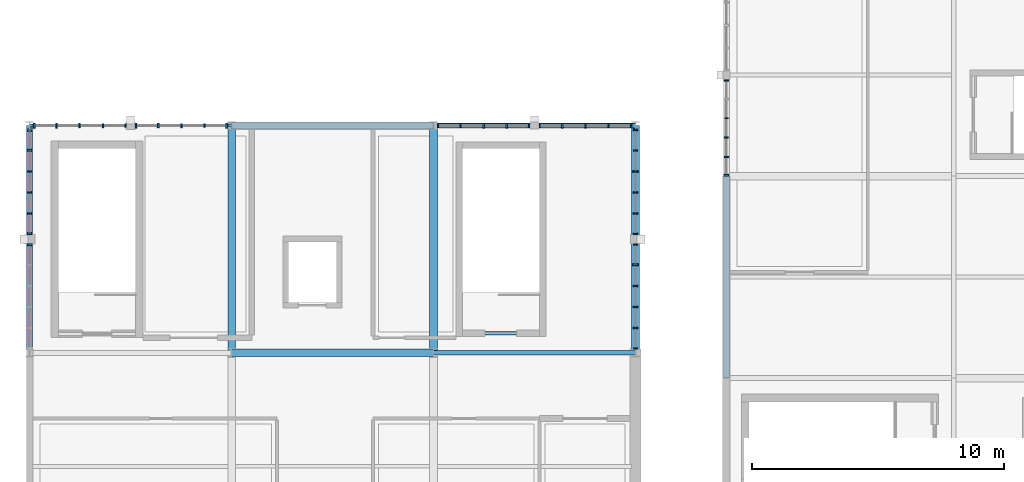
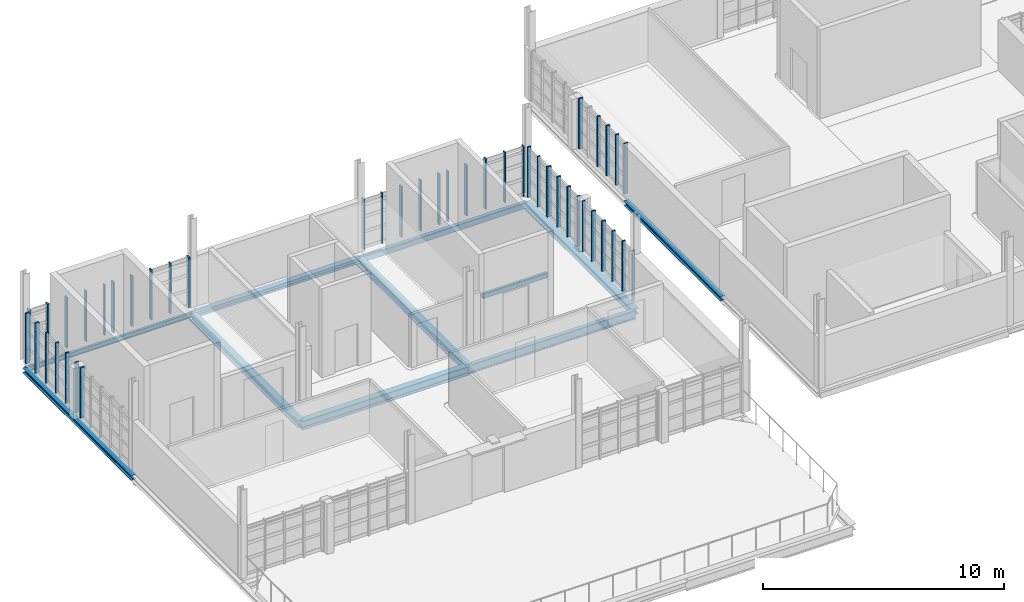
# One storey, part 8 of 44: 44 members, 11 beams, 9 elements without a shape of their own.
"""IFC4 building model written with IfcOpenShell, lengths in metres."""

import ifcopenshell
import ifcopenshell.guid

model = None  # the IFC model being written
_history = None  # IfcOwnerHistory: only IFC2X3 demands one
_inside = {}  # id of a spatial element -> (the spatial element, [elements in it])
_under = {}  # id of a project, library or spatial element -> (it, [spatial elements below it])
_declared = {}  # id of a project -> (the project, [libraries it declares])
_typed = {}  # id of a type object -> (the type object, [elements of that type])
_made_of = {}  # id of a material, layer set ... -> (it, [elements and type objects made of it])


def new_model(schema):
    """Start an empty IFC model of exactly this schema.

    Asked for "IFC4X3", IfcOpenShell would pick the latest addendum, in which some entities
    have other attributes; the version numbers below select the first issue.
    IFC2X3 requires an IfcOwnerHistory on every rooted entity: one is made here for all.
    """
    global model, _history
    if schema == "IFC4X3":
        model = ifcopenshell.file(schema_version=(4, 3, 0, 0))
    else:
        model = ifcopenshell.file(schema=schema)
    _inside.clear()
    _under.clear()
    _declared.clear()
    _typed.clear()
    _made_of.clear()
    _history = None
    if model.schema == "IFC2X3":
        org = make("IfcOrganization", Name="unknown")
        user = make(
            "IfcPersonAndOrganization",
            ThePerson=make("IfcPerson", FamilyName="unknown"),
            TheOrganization=org,
        )
        app = make(
            "IfcApplication",
            ApplicationDeveloper=org,
            Version="unknown",
            ApplicationFullName="unknown",
            ApplicationIdentifier="unknown",
        )
        _history = make(
            "IfcOwnerHistory",
            OwningUser=user,
            OwningApplication=app,
            ChangeAction="ADDED",
            CreationDate=0,
        )
    return model


def make(cls, **values):
    """One entity of the class cls with the attributes given. An attribute that is None is left unset."""
    return model.create_entity(
        cls, **{name: value for name, value in values.items() if value is not None}
    )


def rooted(cls, **values):
    """An entity with a GlobalId (a new one), such as an element, a storey or a relation."""
    return make(cls, GlobalId=ifcopenshell.guid.new(), OwnerHistory=_history, **values)


def si_unit(unit_type, name, prefix=None):
    """IfcSIUnit, for example si_unit("LENGTHUNIT", "METRE", prefix="MILLI")."""
    return make("IfcSIUnit", UnitType=unit_type, Prefix=prefix, Name=name)


def assignment(units):
    """IfcUnitAssignment: the units of a project."""
    return None if units is None else make("IfcUnitAssignment", Units=units)


def point(xyz):
    """IfcCartesianPoint."""
    return None if xyz is None else make("IfcCartesianPoint", Coordinates=xyz)


def direction(xyz):
    """IfcDirection."""
    return None if xyz is None else make("IfcDirection", DirectionRatios=xyz)


def frame(location, z_axis=None, x_axis=None):
    """IfcAxis2Placement3D, a coordinate frame: its origin and axes. An axis left out is left unset."""
    return make(
        "IfcAxis2Placement3D",
        Location=point(location),
        Axis=direction(z_axis),
        RefDirection=direction(x_axis),
    )


def frame_2d(location, x_axis=None):
    """IfcAxis2Placement2D, a coordinate frame in the plane: its origin and x axis."""
    return make(
        "IfcAxis2Placement2D", Location=point(location), RefDirection=direction(x_axis)
    )


def origin():
    """The frame at (0, 0, 0) with its axes left unset."""
    return frame((0.0, 0.0, 0.0))


def origin_2d():
    """The frame at (0, 0) in the plane with its x axis left unset."""
    return frame_2d((0.0, 0.0))


def place(relative_to, where):
    """IfcLocalPlacement: puts the frame where relative to a parent placement (None: the world)."""
    return make(
        "IfcLocalPlacement", PlacementRelTo=relative_to, RelativePlacement=where
    )


def context(
    kind, dimensions, precision=None, world=None, true_north=None, identifier=None
):
    """IfcGeometricRepresentationContext, for example the 3D "Model" context."""
    return make(
        "IfcGeometricRepresentationContext",
        ContextIdentifier=identifier,
        ContextType=kind,
        CoordinateSpaceDimension=dimensions,
        Precision=precision,
        WorldCoordinateSystem=world,
        TrueNorth=true_north,
    )


def subcontext(parent, identifier, kind, view, scale=None):
    """IfcGeometricRepresentationSubContext, for example "Body" below "Model"."""
    return make(
        "IfcGeometricRepresentationSubContext",
        ContextIdentifier=identifier,
        ContextType=kind,
        ParentContext=parent,
        TargetScale=scale,
        TargetView=view,
    )


def project(units=None, contexts=None):
    """IfcProject with its units and contexts."""
    return rooted(
        "IfcProject",
        Name="project",
        RepresentationContexts=contexts,
        UnitsInContext=assignment(units),
    )


def spatial(cls, under=None, at=None, **own):
    """A site, building, storey or space (cls), placed at a placement, below another one or the project."""
    s = rooted(cls, ObjectPlacement=at, **own)
    if under is not None:
        _under.setdefault(under.id(), (under, []))[1].append(s)
    return s


def profile(cls, at=None, kind="AREA", **sizes):
    """A parametric profile (cls). Its sizes go by their IFC names, for example OverallWidth=200.0."""
    return make(cls, ProfileType=kind, Position=at, **sizes)


def rectangle(**sizes):
    """IfcRectangleProfileDef."""
    return profile("IfcRectangleProfileDef", **sizes)


def hollow_rectangle(**sizes):
    """IfcRectangleHollowProfileDef."""
    return profile("IfcRectangleHollowProfileDef", **sizes)


def i_section(**sizes):
    """IfcIShapeProfileDef."""
    return profile("IfcIShapeProfileDef", **sizes)


def extrude(swept, where, along, depth):
    """IfcExtrudedAreaSolid: the profile swept, set in the frame where, extruded along a direction by depth."""
    return make(
        "IfcExtrudedAreaSolid",
        SweptArea=swept,
        Position=where,
        ExtrudedDirection=direction(along),
        Depth=depth,
    )


def shape(context_of_items, identifier, shape_type, items):
    """IfcShapeRepresentation: the items that make up one representation, for example the "Body"."""
    return make(
        "IfcShapeRepresentation",
        ContextOfItems=context_of_items,
        RepresentationIdentifier=identifier,
        RepresentationType=shape_type,
        Items=items,
    )


def material(Name=None, Category=None):
    """IfcMaterial."""
    return make("IfcMaterial", Name=Name, Category=Category)


def material_profile(
    of_material, cross_section, Name=None, Category=None, Priority=None
):
    """IfcMaterialProfile: a cross section and its material."""
    return make(
        "IfcMaterialProfile",
        Name=Name,
        Material=of_material,
        Profile=cross_section,
        Priority=Priority,
        Category=Category,
    )


def profile_set(profiles, Name=None, composite=None):
    """IfcMaterialProfileSet."""
    return make(
        "IfcMaterialProfileSet",
        Name=Name,
        MaterialProfiles=profiles,
        CompositeProfile=composite,
    )


def made_of(thing, what):
    """Note that an element or type object is made of a material, layer set ...; save() writes the relation."""
    if what is not None:
        _made_of.setdefault(what.id(), (what, []))[1].append(thing)
    return thing


def type_object(cls, material=None, **own):
    """A type object (cls), such as IfcWallType, which elements share."""
    return made_of(rooted(cls, **own), material)


def element(
    cls,
    number,
    at=None,
    inside=None,
    cuts=None,
    type_object=None,
    material=None,
    context=None,
    identifier="Body",
    shape_type=None,
    held_by="IfcProductDefinitionShape",
    body=None,
    shapes=None,
    **own,
):
    """One element of the class cls, such as IfcWall. Its Tag is "e" and its number.

    at: its placement. inside: the storey or other place that contains it. cuts: it is an
    opening in that element (IfcRelVoidsElement). A single representation is given by context,
    identifier, shape_type and body (its items); several are given by shapes. held_by: the class
    of the entity that holds the representations. save() writes the other relations.
    """
    e = rooted(cls, Tag="e%d" % number, ObjectPlacement=at, **own)
    if body is not None:
        shapes = [shape(context, identifier, shape_type, body)]
    if shapes is not None:
        e.Representation = make(held_by, Representations=shapes)
    if inside is not None:
        _inside.setdefault(inside.id(), (inside, []))[1].append(e)
    if cuts is not None:
        rooted(
            "IfcRelVoidsElement", RelatingBuildingElement=cuts, RelatedOpeningElement=e
        )
    if type_object is not None:
        _typed.setdefault(type_object.id(), (type_object, []))[1].append(e)
    return made_of(e, material)


def aggregate(whole, parts):
    """IfcRelAggregates: a whole, such as a stair, and the parts it consists of."""
    return rooted("IfcRelAggregates", RelatingObject=whole, RelatedObjects=parts)


def save(model, path):
    """Write the relations noted so far, then the file.

    IfcRelAggregates (storeys below a building ...), IfcRelContainedInSpatialStructure (elements
    in a storey), IfcRelDefinesByType, IfcRelAssociatesMaterial and IfcRelDeclares: one each for
    every whole, place, type object, material and project.
    """
    for whole, parts in _under.values():
        aggregate(whole, parts)
    for where, things in _inside.values():
        rooted(
            "IfcRelContainedInSpatialStructure",
            RelatedElements=things,
            RelatingStructure=where,
        )
    for kind, things in _typed.values():
        rooted("IfcRelDefinesByType", RelatedObjects=things, RelatingType=kind)
    for what, things in _made_of.values():
        rooted("IfcRelAssociatesMaterial", RelatedObjects=things, RelatingMaterial=what)
    for by, libraries in _declared.values():
        rooted("IfcRelDeclares", RelatingContext=by, RelatedDefinitions=libraries)
    model.write(path)


model = new_model("IFC4")

# Units and contexts
model_context = context("Model", 3, precision=1e-05, world=origin(), true_north=direction((0.0, 1.0)))
body_context = subcontext(model_context, "Body", "Model", "MODEL_VIEW")
ifc_project = project(units=[si_unit("LENGTHUNIT", "METRE"), si_unit("AREAUNIT", "SQUARE_METRE"), si_unit("VOLUMEUNIT", "CUBIC_METRE"), si_unit("PLANEANGLEUNIT", "RADIAN"), si_unit("MASSUNIT", "GRAM", prefix="KILO")], contexts=[model_context])

# Site, building, storey
site_placement = place(None, origin())
site = spatial("IfcSite", under=ifc_project, at=site_placement, CompositionType="ELEMENT")
building_placement = place(site_placement, origin())
building = spatial("IfcBuilding", under=site, at=building_placement, Name="Serraforn Aerial Cableway Station", CompositionType="ELEMENT")
storey_placement = place(building_placement, frame((0.0, 0.0, 13.800048828125)))
storey = spatial("IfcBuildingStorey", under=building, at=storey_placement, Name="L03", CompositionType="ELEMENT", Elevation=13.800048828125)

# Beams
ifc_material_1 = material(Name="Steel S355JR", Category="steel")
ifc_material_profile_1 = material_profile(ifc_material_1, i_section(OverallWidth=0.239990234375, OverallDepth=0.239990234375, WebThickness=0.007568359375, FlangeThickness=0.011962890625, FilletRadius=0.02099609375, at=origin_2d()), Name="HEA 240")
ifc_profile_set_1 = profile_set([ifc_material_profile_1], Name="Steel S355JR")
beam_type_1 = type_object("IfcBeamType", Name="BM-ST-HEA240", PredefinedType="BEAM", material=ifc_profile_set_1)
beam_1_placement = place(storey_placement, frame((0.0, 27.0, -0.43994140625), z_axis=(0.0, 1.0, 0.0), x_axis=(-1.0, 0.0, 0.0)))
element("IfcBeam", 1, at=beam_1_placement, inside=storey, type_object=beam_type_1, Name="Grid Girder Y W L03 X1-3", PredefinedType="BEAM", context=body_context, shape_type="SweptSolid", body=[
    extrude(i_section(OverallWidth=0.239990234375, OverallDepth=0.239990234375, WebThickness=0.007568359375, FlangeThickness=0.011962890625, FilletRadius=0.02099609375, at=origin_2d()), origin(), (0.0, 0.0, 1.0), 9.0),
])
beam_2_placement = place(storey_placement, frame((27.60009765625, 26.0, -0.43994140625), z_axis=(0.0, 1.0, 0.0), x_axis=(-1.0, 0.0, 0.0)))
element("IfcBeam", 2, at=beam_2_placement, inside=storey, type_object=beam_type_1, Name="Grid Girder Y CV L03 X1-2", PredefinedType="BEAM", context=body_context, shape_type="SweptSolid", body=[
    extrude(i_section(OverallWidth=0.239990234375, OverallDepth=0.239990234375, WebThickness=0.007568359375, FlangeThickness=0.011962890625, FilletRadius=0.02099609375, at=origin_2d()), origin(), (0.0, 0.0, 1.0), 8.0),
])
ifc_material_profile_2 = material_profile(ifc_material_1, i_section(OverallWidth=0.300048828125, OverallDepth=0.360107421875, WebThickness=0.010009765625, FlangeThickness=0.017578125, FilletRadius=0.027099609375, at=origin_2d()), Name="HEA 360")
ifc_profile_set_2 = profile_set([ifc_material_profile_2], Name="Steel S355JR")
beam_type_2 = type_object("IfcBeamType", Name="BM-ST-HEA360", PredefinedType="BEAM", material=ifc_profile_set_2)
for number, where, z_axis, x_axis, name in (
    (3, (8.0, 27.0, -0.5), (0.0, 1.0, 0.0), (-1.0, 0.0, 0.0), "Grid Girder Y W L03 X2-3"),
    (4, (16.0, 27.0, -0.5), (0.0, 1.0, 0.0), (-1.0, 0.0, 0.0), "Grid Girder Y W L03 X3-3"),
):
    element("IfcBeam", number, at=place(storey_placement, frame(where, z_axis=z_axis, x_axis=x_axis)), inside=storey, type_object=beam_type_2, Name=name, PredefinedType="BEAM", context=body_context, shape_type="SweptSolid", body=[
        extrude(i_section(OverallWidth=0.300048828125, OverallDepth=0.360107421875, WebThickness=0.010009765625, FlangeThickness=0.017578125, FilletRadius=0.027099609375, at=origin_2d()), origin(), (0.0, 0.0, 1.0), 9.0),
    ])
ifc_material_profile_3 = material_profile(ifc_material_1, i_section(OverallWidth=0.300048828125, OverallDepth=0.449951171875, WebThickness=0.011474609375, FlangeThickness=0.02099609375, FilletRadius=0.027099609375, at=origin_2d()), Name="HEA 450")
ifc_profile_set_3 = profile_set([ifc_material_profile_3], Name="Steel S355JR")
beam_type_3 = type_object("IfcBeamType", Name="BM-ST-HEA450", PredefinedType="USERDEFINED", material=ifc_profile_set_3)
beam_3_placement = place(storey_placement, frame((8.0, 27.0, -0.545166015625), z_axis=(1.0, 0.0, 0.0), x_axis=(0.0, 1.0, 0.0)))
element("IfcBeam", 5, at=beam_3_placement, inside=storey, type_object=beam_type_3, Name="Grid Girder X W L03 Y4-2", ObjectType="GIRDER", PredefinedType="USERDEFINED", context=body_context, shape_type="SweptSolid", body=[
    extrude(i_section(OverallWidth=0.300048828125, OverallDepth=0.449951171875, WebThickness=0.011474609375, FlangeThickness=0.02099609375, FilletRadius=0.027099609375, at=origin_2d()), origin(), (0.0, 0.0, 1.0), 8.0),
])
ifc_material_2 = material(Name="Steel S355J2", Category="steel")
ifc_material_profile_4 = material_profile(ifc_material_2, i_section(OverallWidth=0.260009765625, OverallDepth=0.260009765625, WebThickness=0.010009765625, FlangeThickness=0.017578125, FilletRadius=0.02392578125, at=origin_2d()), Name="HEB 260")
ifc_profile_set_4 = profile_set([ifc_material_profile_4], Name="Steel S355J2")
beam_type_4 = type_object("IfcBeamType", Name="BM-ST-HEB260", PredefinedType="BEAM", material=ifc_profile_set_4)
beam_4_placement = place(storey_placement, frame((8.0, 36.0, -0.449951171875), z_axis=(1.0, 0.0, 0.0), x_axis=(0.0, 1.0, 0.0)))
element("IfcBeam", 6, at=beam_4_placement, inside=storey, type_object=beam_type_4, Name="Grid Girder X W L03 Y5-2", PredefinedType="BEAM", context=body_context, shape_type="SweptSolid", body=[
    extrude(i_section(OverallWidth=0.260009765625, OverallDepth=0.260009765625, WebThickness=0.010009765625, FlangeThickness=0.017578125, FilletRadius=0.02392578125, at=origin_2d()), origin(), (0.0, 0.0, 1.0), 8.0),
])
ifc_material_profile_5 = material_profile(ifc_material_2, i_section(OverallWidth=0.300048828125, OverallDepth=0.300048828125, WebThickness=0.010986328125, FlangeThickness=0.01904296875, FilletRadius=0.027099609375, at=origin_2d()), Name="HEB 300")
ifc_profile_set_5 = profile_set([ifc_material_profile_5], Name="Steel S355J2")
beam_type_5 = type_object("IfcBeamType", Name="BM-ST-HEB300", PredefinedType="BEAM", material=ifc_profile_set_5)
beam_5_placement = place(storey_placement, frame((24.0, 27.0, -0.469970703125), z_axis=(0.0, 1.0, 0.0), x_axis=(-1.0, 0.0, 0.0)))
element("IfcBeam", 7, at=beam_5_placement, inside=storey, type_object=beam_type_5, Name="Grid Girder Y W L03 X4-3", PredefinedType="BEAM", context=body_context, shape_type="SweptSolid", body=[
    extrude(i_section(OverallWidth=0.300048828125, OverallDepth=0.300048828125, WebThickness=0.010986328125, FlangeThickness=0.01904296875, FilletRadius=0.027099609375, at=origin_2d()), origin(), (0.0, 0.0, 1.0), 9.0),
])
ifc_material_profile_6 = material_profile(ifc_material_1, i_section(OverallWidth=0.1201171875, OverallDepth=0.239990234375, WebThickness=0.006103515625, FlangeThickness=0.009765625, FilletRadius=0.014892578125, at=origin_2d()), Name="IPE 240")
ifc_profile_set_6 = profile_set([ifc_material_profile_6], Name="Steel S355JR")
beam_type_6 = type_object("IfcBeamType", Name="BM-ST-IPE240", PredefinedType="SPANDREL", material=ifc_profile_set_6)
beam_6_placement = place(storey_placement, frame((0.0, 36.0, -0.43994140625), z_axis=(1.0, 0.0, 0.0), x_axis=(0.0, 1.0, 0.0)))
element("IfcBeam", 8, at=beam_6_placement, inside=storey, type_object=beam_type_6, Name="Grid Girder X W L03 Y5-1", PredefinedType="SPANDREL", context=body_context, shape_type="SweptSolid", body=[
    extrude(i_section(OverallWidth=0.1201171875, OverallDepth=0.239990234375, WebThickness=0.006103515625, FlangeThickness=0.009765625, FilletRadius=0.014892578125, at=origin_2d()), origin(), (0.0, 0.0, 1.0), 8.0),
])
ifc_material_profile_7 = material_profile(ifc_material_1, i_section(OverallWidth=0.18994140625, OverallDepth=0.449951171875, WebThickness=0.009521484375, FlangeThickness=0.0146484375, FilletRadius=0.02099609375, at=origin_2d()), Name="IPE 450")
ifc_profile_set_7 = profile_set([ifc_material_profile_7], Name="Steel S355JR")
beam_type_7 = type_object("IfcBeamType", Name="BM-ST-IPE450", PredefinedType="BEAM", material=ifc_profile_set_7)
beam_7_placement = place(storey_placement, frame((16.0, 27.0, -0.545166015625), z_axis=(1.0, 0.0, 0.0), x_axis=(0.0, 1.0, 0.0)))
element("IfcBeam", 9, at=beam_7_placement, inside=storey, type_object=beam_type_7, Name="Grid Girder X W L03 Y4-3", PredefinedType="BEAM", context=body_context, shape_type="SweptSolid", body=[
    extrude(i_section(OverallWidth=0.18994140625, OverallDepth=0.449951171875, WebThickness=0.009521484375, FlangeThickness=0.0146484375, FilletRadius=0.02099609375, at=origin_2d()), origin(), (0.0, 0.0, 1.0), 8.0),
])
ifc_material_profile_8 = material_profile(ifc_material_2, hollow_rectangle(XDim=0.14990234375, YDim=0.25, WallThickness=0.010009765625, InnerFilletRadius=0.010009765625, OuterFilletRadius=0.02001953125, at=origin_2d()), Name="RHS 250x150x10.0")
ifc_profile_set_8 = profile_set([ifc_material_profile_8], Name="Steel S355J2")
beam_type_8 = type_object("IfcBeamType", Name="BM-ST-RHS250", PredefinedType="LINTEL", material=ifc_profile_set_8)
beam_8_placement = place(storey_placement, frame((20.199951171875, 27.77490234375, 2.27490234375), z_axis=(-1.0, 0.0, 0.0), x_axis=(0.0, -1.0, 0.0)))
element("IfcBeam", 10, at=beam_8_placement, inside=storey, type_object=beam_type_8, Name="Stair Core Door Lintel D-S08", PredefinedType="LINTEL", context=body_context, shape_type="SweptSolid", body=[
    extrude(hollow_rectangle(XDim=0.14990234375, YDim=0.25, WallThickness=0.010009765625, InnerFilletRadius=0.010009765625, OuterFilletRadius=0.02001953125, at=origin_2d()), origin(), (0.0, 0.0, 1.0), 3.06005859375),
])
ifc_material_profile_9 = material_profile(ifc_material_2, hollow_rectangle(XDim=0.199951171875, YDim=0.300048828125, WallThickness=0.012451171875, InnerFilletRadius=0.012451171875, OuterFilletRadius=0.02490234375, at=origin_2d()), Name="RHS 300x200x12.5")
ifc_profile_set_9 = profile_set([ifc_material_profile_9], Name="Steel S355J2")
beam_type_9 = type_object("IfcBeamType", Name="BM-ST-RHS300", PredefinedType="SPANDREL", material=ifc_profile_set_9)
beam_9_placement = place(storey_placement, frame((16.0, 36.0, -0.469970703125), z_axis=(1.0, 0.0, 0.0), x_axis=(0.0, 1.0, 0.0)))
element("IfcBeam", 11, at=beam_9_placement, inside=storey, type_object=beam_type_9, Name="Grid Girder X W L03 Y5-3", PredefinedType="SPANDREL", context=body_context, shape_type="SweptSolid", body=[
    extrude(hollow_rectangle(XDim=0.199951171875, YDim=0.300048828125, WallThickness=0.012451171875, InnerFilletRadius=0.012451171875, OuterFilletRadius=0.02490234375, at=origin_2d()), origin(), (0.0, 0.0, 1.0), 8.0),
])

# Curtain wall, member
ifc_material_3 = material(Name="Anodised bronze unitised curtain wall")
curtain_wall_type_1 = type_object("IfcCurtainWallType", Name="CW-SYS-11", PredefinedType="USERDEFINED", material=ifc_material_3)
curtain_wall_1_placement = place(storey_placement, origin())
curtain_wall_1 = element("IfcCurtainWall", 12, at=curtain_wall_1_placement, inside=storey, type_object=curtain_wall_type_1, Name="Unitised Curtain Wall CW-W-L03-N1A", ObjectType="UNITISED CURTAIN WALL", PredefinedType="USERDEFINED")
ifc_material_4 = material(Name="Anodised bronze extruded aluminium", Category="aluminium")
ifc_material_profile_10 = material_profile(ifc_material_4, rectangle(XDim=0.054931640625, YDim=0.139892578125, at=origin_2d()), Name="CW MULLION 55x140")
ifc_profile_set_10 = profile_set([ifc_material_profile_10], Name="Anodised bronze extruded aluminium")
member_type_1 = type_object("IfcMemberType", Name="CW-MUL-1", PredefinedType="MULLION", material=ifc_profile_set_10)
member_1_placement = place(storey_placement, frame((6.93408203125, 36.0, 0.0), z_axis=(0.0, 0.0, 1.0), x_axis=(-1.0, 0.0, 0.0)))
member_1 = element("IfcMember", 13, at=member_1_placement, type_object=member_type_1, Name="Curtain Wall Mullion CW-W-L03-N1A-M2", PredefinedType="MULLION", context=body_context, shape_type="SweptSolid", body=[
    extrude(rectangle(XDim=0.054931640625, YDim=0.139892578125, at=origin_2d()), origin(), (0.0, 0.0, 1.0), 2.550048828125),
])

curtain_wall_type_2 = type_object("IfcCurtainWallType", Name="CW-SYS-12", PredefinedType="USERDEFINED", material=ifc_material_3)
curtain_wall_2_placement = place(storey_placement, origin())
curtain_wall_2 = element("IfcCurtainWall", 14, at=curtain_wall_2_placement, inside=storey, type_object=curtain_wall_type_2, Name="Unitised Curtain Wall CW-W-L03-N1B", ObjectType="UNITISED CURTAIN WALL", PredefinedType="USERDEFINED")
member_2_placement = place(storey_placement, frame((3.79248046875, 36.0, 0.0), z_axis=(0.0, 0.0, 1.0), x_axis=(-1.0, 0.0, 0.0)))
member_2 = element("IfcMember", 15, at=member_2_placement, type_object=member_type_1, Name="Curtain Wall Mullion CW-W-L03-N1B-M1", PredefinedType="MULLION", context=body_context, shape_type="SweptSolid", body=[
    extrude(rectangle(XDim=0.054931640625, YDim=0.139892578125, at=origin_2d()), origin(), (0.0, 0.0, 1.0), 2.550048828125),
])

curtain_wall_type_3 = type_object("IfcCurtainWallType", Name="CW-SYS-13", PredefinedType="USERDEFINED", material=ifc_material_3)
curtain_wall_3_placement = place(storey_placement, origin())
curtain_wall_3 = element("IfcCurtainWall", 16, at=curtain_wall_3_placement, inside=storey, type_object=curtain_wall_type_3, Name="Unitised Curtain Wall CW-W-L03-N3A", ObjectType="UNITISED CURTAIN WALL", PredefinedType="USERDEFINED")
member_3_placement = place(storey_placement, frame((20.20751953125, 36.0, 0.0), z_axis=(0.0, 0.0, 1.0), x_axis=(-1.0, 0.0, 0.0)))
member_3 = element("IfcMember", 17, at=member_3_placement, type_object=member_type_1, Name="Curtain Wall Mullion CW-W-L03-N3A-M5", PredefinedType="MULLION", context=body_context, shape_type="SweptSolid", body=[
    extrude(rectangle(XDim=0.054931640625, YDim=0.139892578125, at=origin_2d()), origin(), (0.0, 0.0, 1.0), 2.550048828125),
])

curtain_wall_type_4 = type_object("IfcCurtainWallType", Name="CW-SYS-14", PredefinedType="USERDEFINED", material=ifc_material_3)
curtain_wall_4_placement = place(storey_placement, origin())
curtain_wall_4 = element("IfcCurtainWall", 18, at=curtain_wall_4_placement, inside=storey, type_object=curtain_wall_type_4, Name="Unitised Curtain Wall CW-W-L03-N3B", ObjectType="UNITISED CURTAIN WALL", PredefinedType="USERDEFINED")
member_4_placement = place(storey_placement, frame((17.06591796875, 36.0, 0.0), z_axis=(0.0, 0.0, 1.0), x_axis=(-1.0, 0.0, 0.0)))
member_4 = element("IfcMember", 19, at=member_4_placement, type_object=member_type_1, Name="Curtain Wall Mullion CW-W-L03-N3B-M4", PredefinedType="MULLION", context=body_context, shape_type="SweptSolid", body=[
    extrude(rectangle(XDim=0.054931640625, YDim=0.139892578125, at=origin_2d()), origin(), (0.0, 0.0, 1.0), 2.550048828125),
])

curtain_wall_type_5 = type_object("IfcCurtainWallType", Name="CW-SYS-15", PredefinedType="USERDEFINED", material=ifc_material_3)
curtain_wall_5_placement = place(storey_placement, origin())
curtain_wall_5 = element("IfcCurtainWall", 20, at=curtain_wall_5_placement, inside=storey, type_object=curtain_wall_type_5, Name="Unitised Curtain Wall CW-W-L03-W2A", ObjectType="UNITISED CURTAIN WALL", PredefinedType="USERDEFINED")
member_5_placement = place(storey_placement, frame((0.0, 34.18310546875, 0.0), z_axis=(0.0, 0.0, 1.0), x_axis=(0.0, -1.0, 0.0)))
member_5 = element("IfcMember", 21, at=member_5_placement, type_object=member_type_1, Name="Curtain Wall Mullion CW-W-L03-W2A-M3", PredefinedType="MULLION", context=body_context, shape_type="SweptSolid", body=[
    extrude(rectangle(XDim=0.054931640625, YDim=0.139892578125, at=origin_2d()), origin(), (0.0, 0.0, 1.0), 2.550048828125),
])

# Curtain wall, members
curtain_wall_type_6 = type_object("IfcCurtainWallType", Name="CW-SYS-17", PredefinedType="USERDEFINED", material=ifc_material_3)
curtain_wall_6_placement = place(storey_placement, origin())
curtain_wall_6 = element("IfcCurtainWall", 22, at=curtain_wall_6_placement, inside=storey, type_object=curtain_wall_type_6, Name="Unitised Curtain Wall CW-W-L03-E2A", ObjectType="UNITISED CURTAIN WALL", PredefinedType="USERDEFINED")
member_6_placement = place(storey_placement, frame((24.0, 27.175537109375, 0.0), z_axis=(0.0, 0.0, 1.0), x_axis=(0.0, 1.0, 0.0)))
member_6 = element("IfcMember", 23, at=member_6_placement, type_object=member_type_1, Name="Curtain Wall Mullion CW-W-L03-E2A-M1", PredefinedType="MULLION", context=body_context, shape_type="SweptSolid", body=[
    extrude(rectangle(XDim=0.054931640625, YDim=0.139892578125, at=origin_2d()), origin(), (0.0, 0.0, 1.0), 2.550048828125),
])
member_7_placement = place(storey_placement, frame((24.0, 31.29248046875, 0.0), z_axis=(0.0, 0.0, 1.0), x_axis=(0.0, 1.0, 0.0)))
member_7 = element("IfcMember", 24, at=member_7_placement, type_object=member_type_1, Name="Curtain Wall Mullion CW-W-L03-E2A-M6", PredefinedType="MULLION", context=body_context, shape_type="SweptSolid", body=[
    extrude(rectangle(XDim=0.054931640625, YDim=0.139892578125, at=origin_2d()), origin(), (0.0, 0.0, 1.0), 2.550048828125),
])

# Curtain wall, member
curtain_wall_type_7 = type_object("IfcCurtainWallType", Name="CW-SYS-18", PredefinedType="USERDEFINED", material=ifc_material_3)
curtain_wall_7_placement = place(storey_placement, origin())
curtain_wall_7 = element("IfcCurtainWall", 25, at=curtain_wall_7_placement, inside=storey, type_object=curtain_wall_type_7, Name="Unitised Curtain Wall CW-W-L03-E2B", ObjectType="UNITISED CURTAIN WALL", PredefinedType="USERDEFINED")
member_8_placement = place(storey_placement, frame((24.0, 35.017578125, 0.0), z_axis=(0.0, 0.0, 1.0), x_axis=(0.0, 1.0, 0.0)))
member_8 = element("IfcMember", 26, at=member_8_placement, type_object=member_type_1, Name="Curtain Wall Mullion CW-W-L03-E2B-M5", PredefinedType="MULLION", context=body_context, shape_type="SweptSolid", body=[
    extrude(rectangle(XDim=0.054931640625, YDim=0.139892578125, at=origin_2d()), origin(), (0.0, 0.0, 1.0), 2.550048828125),
])

curtain_wall_type_8 = type_object("IfcCurtainWallType", Name="CW-SYS-16", PredefinedType="USERDEFINED", material=ifc_material_3)
curtain_wall_8_placement = place(storey_placement, origin())
curtain_wall_8 = element("IfcCurtainWall", 27, at=curtain_wall_8_placement, inside=storey, type_object=curtain_wall_type_8, Name="Unitised Curtain Wall CW-CV-L03-W3B", ObjectType="UNITISED CURTAIN WALL", PredefinedType="USERDEFINED")
member_9_placement = place(storey_placement, frame((27.60009765625, 36.2919921875, 0.0), z_axis=(0.0, 0.0, 1.0), x_axis=(0.0, -1.0, 0.0)))
member_9 = element("IfcMember", 28, at=member_9_placement, type_object=member_type_1, Name="Curtain Wall Mullion CW-CV-L03-W3B-M3", PredefinedType="MULLION", context=body_context, shape_type="SweptSolid", body=[
    extrude(rectangle(XDim=0.054931640625, YDim=0.139892578125, at=origin_2d()), origin(), (0.0, 0.0, 1.0), 2.550048828125),
])

# Member
ifc_material_profile_11 = material_profile(ifc_material_4, rectangle(XDim=0.06005859375, YDim=0.159912109375, at=origin_2d()), Name="CW MULLION 60x160")
ifc_profile_set_11 = profile_set([ifc_material_profile_11], Name="Anodised bronze extruded aluminium")
member_type_2 = type_object("IfcMemberType", Name="CW-MUL-2", PredefinedType="MULLION", material=ifc_profile_set_11)
member_10_placement = place(storey_placement, frame((6.01611328125, 36.0, 0.0), z_axis=(0.0, 0.0, 1.0), x_axis=(-1.0, 0.0, 0.0)))
member_10 = element("IfcMember", 29, at=member_10_placement, type_object=member_type_2, Name="Curtain Wall Mullion CW-W-L03-N1A-M3", PredefinedType="MULLION", context=body_context, shape_type="SweptSolid", body=[
    extrude(rectangle(XDim=0.06005859375, YDim=0.159912109375, at=origin_2d()), origin(), (0.0, 0.0, 1.0), 2.550048828125),
])

member_11_placement = place(storey_placement, frame((2.902099609375, 36.0, 0.0), z_axis=(0.0, 0.0, 1.0), x_axis=(-1.0, 0.0, 0.0)))
member_11 = element("IfcMember", 30, at=member_11_placement, type_object=member_type_2, Name="Curtain Wall Mullion CW-W-L03-N1B-M2", PredefinedType="MULLION", context=body_context, shape_type="SweptSolid", body=[
    extrude(rectangle(XDim=0.06005859375, YDim=0.159912109375, at=origin_2d()), origin(), (0.0, 0.0, 1.0), 2.550048828125),
])

member_12_placement = place(storey_placement, frame((23.822021484375, 36.0, 0.0), z_axis=(0.0, 0.0, 1.0), x_axis=(-1.0, 0.0, 0.0)))
member_12 = element("IfcMember", 31, at=member_12_placement, type_object=member_type_2, Name="Curtain Wall Mullion CW-W-L03-N3A-M1", PredefinedType="MULLION", context=body_context, shape_type="SweptSolid", body=[
    extrude(rectangle(XDim=0.06005859375, YDim=0.159912109375, at=origin_2d()), origin(), (0.0, 0.0, 1.0), 2.550048828125),
])

member_13_placement = place(storey_placement, frame((16.177978515625, 36.0, 0.0), z_axis=(0.0, 0.0, 1.0), x_axis=(-1.0, 0.0, 0.0)))
member_13 = element("IfcMember", 32, at=member_13_placement, type_object=member_type_2, Name="Curtain Wall Mullion CW-W-L03-N3B-M5", PredefinedType="MULLION", context=body_context, shape_type="SweptSolid", body=[
    extrude(rectangle(XDim=0.06005859375, YDim=0.159912109375, at=origin_2d()), origin(), (0.0, 0.0, 1.0), 2.550048828125),
])

member_14_placement = place(storey_placement, frame((0.0, 33.348876953125, 0.0), z_axis=(0.0, 0.0, 1.0), x_axis=(0.0, -1.0, 0.0)))
member_14 = element("IfcMember", 33, at=member_14_placement, type_object=member_type_2, Name="Curtain Wall Mullion CW-W-L03-W2A-M4", PredefinedType="MULLION", context=body_context, shape_type="SweptSolid", body=[
    extrude(rectangle(XDim=0.06005859375, YDim=0.159912109375, at=origin_2d()), origin(), (0.0, 0.0, 1.0), 2.550048828125),
])

member_15_placement = place(storey_placement, frame((24.0, 27.982421875, 0.0), z_axis=(0.0, 0.0, 1.0), x_axis=(0.0, 1.0, 0.0)))
member_15 = element("IfcMember", 34, at=member_15_placement, type_object=member_type_2, Name="Curtain Wall Mullion CW-W-L03-E2A-M2", PredefinedType="MULLION", context=body_context, shape_type="SweptSolid", body=[
    extrude(rectangle(XDim=0.06005859375, YDim=0.159912109375, at=origin_2d()), origin(), (0.0, 0.0, 1.0), 2.550048828125),
])

member_16_placement = place(storey_placement, frame((24.0, 31.7099609375, 0.0), z_axis=(0.0, 0.0, 1.0), x_axis=(0.0, 1.0, 0.0)))
member_16 = element("IfcMember", 35, at=member_16_placement, type_object=member_type_2, Name="Curtain Wall Mullion CW-W-L03-E2B-M1", PredefinedType="MULLION", context=body_context, shape_type="SweptSolid", body=[
    extrude(rectangle(XDim=0.06005859375, YDim=0.159912109375, at=origin_2d()), origin(), (0.0, 0.0, 1.0), 2.550048828125),
])

member_17_placement = place(storey_placement, frame((24.0, 35.822021484375, 0.0), z_axis=(0.0, 0.0, 1.0), x_axis=(0.0, 1.0, 0.0)))
member_17 = element("IfcMember", 36, at=member_17_placement, type_object=member_type_2, Name="Curtain Wall Mullion CW-W-L03-E2B-M6", PredefinedType="MULLION", context=body_context, shape_type="SweptSolid", body=[
    extrude(rectangle(XDim=0.06005859375, YDim=0.159912109375, at=origin_2d()), origin(), (0.0, 0.0, 1.0), 2.550048828125),
])

member_18_placement = place(storey_placement, frame((27.60009765625, 35.528076171875, 0.0), z_axis=(0.0, 0.0, 1.0), x_axis=(0.0, -1.0, 0.0)))
member_18 = element("IfcMember", 37, at=member_18_placement, type_object=member_type_2, Name="Curtain Wall Mullion CW-CV-L03-W3B-M4", PredefinedType="MULLION", context=body_context, shape_type="SweptSolid", body=[
    extrude(rectangle(XDim=0.06005859375, YDim=0.159912109375, at=origin_2d()), origin(), (0.0, 0.0, 1.0), 2.550048828125),
])

ifc_material_profile_12 = material_profile(ifc_material_4, rectangle(XDim=0.06494140625, YDim=0.175048828125, at=origin_2d()), Name="CW MULLION 65x175")
ifc_profile_set_12 = profile_set([ifc_material_profile_12], Name="Anodised bronze extruded aluminium")
member_type_3 = type_object("IfcMemberType", Name="CW-MUL-3", PredefinedType="MULLION", material=ifc_profile_set_12)
member_19_placement = place(storey_placement, frame((5.097900390625, 36.0, 0.0), z_axis=(0.0, 0.0, 1.0), x_axis=(-1.0, 0.0, 0.0)))
member_19 = element("IfcMember", 38, at=member_19_placement, type_object=member_type_3, Name="Curtain Wall Mullion CW-W-L03-N1A-M4", PredefinedType="MULLION", context=body_context, shape_type="SweptSolid", body=[
    extrude(rectangle(XDim=0.06494140625, YDim=0.175048828125, at=origin_2d()), origin(), (0.0, 0.0, 1.0), 2.550048828125),
])

member_20_placement = place(storey_placement, frame((1.98388671875, 36.0, 0.0), z_axis=(0.0, 0.0, 1.0), x_axis=(-1.0, 0.0, 0.0)))
member_20 = element("IfcMember", 39, at=member_20_placement, type_object=member_type_3, Name="Curtain Wall Mullion CW-W-L03-N1B-M3", PredefinedType="MULLION", context=body_context, shape_type="SweptSolid", body=[
    extrude(rectangle(XDim=0.06494140625, YDim=0.175048828125, at=origin_2d()), origin(), (0.0, 0.0, 1.0), 2.550048828125),
])

member_21_placement = place(storey_placement, frame((22.93408203125, 36.0, 0.0), z_axis=(0.0, 0.0, 1.0), x_axis=(-1.0, 0.0, 0.0)))
member_21 = element("IfcMember", 40, at=member_21_placement, type_object=member_type_3, Name="Curtain Wall Mullion CW-W-L03-N3A-M2", PredefinedType="MULLION", context=body_context, shape_type="SweptSolid", body=[
    extrude(rectangle(XDim=0.06494140625, YDim=0.175048828125, at=origin_2d()), origin(), (0.0, 0.0, 1.0), 2.550048828125),
])

member_22_placement = place(storey_placement, frame((19.78759765625, 36.0, 0.0), z_axis=(0.0, 0.0, 1.0), x_axis=(-1.0, 0.0, 0.0)))
member_22 = element("IfcMember", 41, at=member_22_placement, type_object=member_type_3, Name="Curtain Wall Mullion CW-W-L03-N3B-M1", PredefinedType="MULLION", context=body_context, shape_type="SweptSolid", body=[
    extrude(rectangle(XDim=0.06494140625, YDim=0.175048828125, at=origin_2d()), origin(), (0.0, 0.0, 1.0), 2.550048828125),
])

member_23_placement = place(storey_placement, frame((0.0, 32.514404296875, 0.0), z_axis=(0.0, 0.0, 1.0), x_axis=(0.0, -1.0, 0.0)))
member_23 = element("IfcMember", 42, at=member_23_placement, type_object=member_type_3, Name="Curtain Wall Mullion CW-W-L03-W2A-M5", PredefinedType="MULLION", context=body_context, shape_type="SweptSolid", body=[
    extrude(rectangle(XDim=0.06494140625, YDim=0.175048828125, at=origin_2d()), origin(), (0.0, 0.0, 1.0), 2.550048828125),
])

member_24_placement = place(storey_placement, frame((24.0, 28.81689453125, 0.0), z_axis=(0.0, 0.0, 1.0), x_axis=(0.0, 1.0, 0.0)))
member_24 = element("IfcMember", 43, at=member_24_placement, type_object=member_type_3, Name="Curtain Wall Mullion CW-W-L03-E2A-M3", PredefinedType="MULLION", context=body_context, shape_type="SweptSolid", body=[
    extrude(rectangle(XDim=0.06494140625, YDim=0.175048828125, at=origin_2d()), origin(), (0.0, 0.0, 1.0), 2.550048828125),
])

member_25_placement = place(storey_placement, frame((24.0, 32.514404296875, 0.0), z_axis=(0.0, 0.0, 1.0), x_axis=(0.0, 1.0, 0.0)))
member_25 = element("IfcMember", 44, at=member_25_placement, type_object=member_type_3, Name="Curtain Wall Mullion CW-W-L03-E2B-M2", PredefinedType="MULLION", context=body_context, shape_type="SweptSolid", body=[
    extrude(rectangle(XDim=0.06494140625, YDim=0.175048828125, at=origin_2d()), origin(), (0.0, 0.0, 1.0), 2.550048828125),
])

member_26_placement = place(storey_placement, frame((27.60009765625, 34.763916015625, 0.0), z_axis=(0.0, 0.0, 1.0), x_axis=(0.0, -1.0, 0.0)))
member_26 = element("IfcMember", 45, at=member_26_placement, type_object=member_type_3, Name="Curtain Wall Mullion CW-CV-L03-W3B-M5", PredefinedType="MULLION", context=body_context, shape_type="SweptSolid", body=[
    extrude(rectangle(XDim=0.06494140625, YDim=0.175048828125, at=origin_2d()), origin(), (0.0, 0.0, 1.0), 2.550048828125),
])

ifc_material_profile_13 = material_profile(ifc_material_4, rectangle(XDim=0.070068359375, YDim=0.18994140625, at=origin_2d()), Name="CW MULLION 70x190")
ifc_profile_set_13 = profile_set([ifc_material_profile_13], Name="Anodised bronze extruded aluminium")
member_type_4 = type_object("IfcMemberType", Name="CW-MUL-4", PredefinedType="MULLION", material=ifc_profile_set_13)
member_27_placement = place(storey_placement, frame((4.215087890625, 36.0, 0.0), z_axis=(0.0, 0.0, 1.0), x_axis=(-1.0, 0.0, 0.0)))
member_27 = element("IfcMember", 46, at=member_27_placement, type_object=member_type_4, Name="Curtain Wall Mullion CW-W-L03-N1A-M5", PredefinedType="MULLION", context=body_context, shape_type="SweptSolid", body=[
    extrude(rectangle(XDim=0.070068359375, YDim=0.18994140625, at=origin_2d()), origin(), (0.0, 0.0, 1.0), 2.550048828125),
])

member_28_placement = place(storey_placement, frame((1.06591796875, 36.0, 0.0), z_axis=(0.0, 0.0, 1.0), x_axis=(-1.0, 0.0, 0.0)))
member_28 = element("IfcMember", 47, at=member_28_placement, type_object=member_type_4, Name="Curtain Wall Mullion CW-W-L03-N1B-M4", PredefinedType="MULLION", context=body_context, shape_type="SweptSolid", body=[
    extrude(rectangle(XDim=0.070068359375, YDim=0.18994140625, at=origin_2d()), origin(), (0.0, 0.0, 1.0), 2.550048828125),
])

member_29_placement = place(storey_placement, frame((22.01611328125, 36.0, 0.0), z_axis=(0.0, 0.0, 1.0), x_axis=(-1.0, 0.0, 0.0)))
member_29 = element("IfcMember", 48, at=member_29_placement, type_object=member_type_4, Name="Curtain Wall Mullion CW-W-L03-N3A-M3", PredefinedType="MULLION", context=body_context, shape_type="SweptSolid", body=[
    extrude(rectangle(XDim=0.070068359375, YDim=0.18994140625, at=origin_2d()), origin(), (0.0, 0.0, 1.0), 2.550048828125),
])

member_30_placement = place(storey_placement, frame((18.902099609375, 36.0, 0.0), z_axis=(0.0, 0.0, 1.0), x_axis=(-1.0, 0.0, 0.0)))
member_30 = element("IfcMember", 49, at=member_30_placement, type_object=member_type_4, Name="Curtain Wall Mullion CW-W-L03-N3B-M2", PredefinedType="MULLION", context=body_context, shape_type="SweptSolid", body=[
    extrude(rectangle(XDim=0.070068359375, YDim=0.18994140625, at=origin_2d()), origin(), (0.0, 0.0, 1.0), 2.550048828125),
])

member_31_placement = place(storey_placement, frame((0.0, 35.81689453125, 0.0), z_axis=(0.0, 0.0, 1.0), x_axis=(0.0, -1.0, 0.0)))
member_31 = element("IfcMember", 50, at=member_31_placement, type_object=member_type_4, Name="Curtain Wall Mullion CW-W-L03-W2A-M1", PredefinedType="MULLION", context=body_context, shape_type="SweptSolid", body=[
    extrude(rectangle(XDim=0.070068359375, YDim=0.18994140625, at=origin_2d()), origin(), (0.0, 0.0, 1.0), 2.550048828125),
])

member_32_placement = place(storey_placement, frame((0.0, 31.715087890625, 0.0), z_axis=(0.0, 0.0, 1.0), x_axis=(0.0, -1.0, 0.0)))
member_32 = element("IfcMember", 51, at=member_32_placement, type_object=member_type_4, Name="Curtain Wall Mullion CW-W-L03-W2A-M6", PredefinedType="MULLION", context=body_context, shape_type="SweptSolid", body=[
    extrude(rectangle(XDim=0.070068359375, YDim=0.18994140625, at=origin_2d()), origin(), (0.0, 0.0, 1.0), 2.550048828125),
])

member_33_placement = place(storey_placement, frame((24.0, 29.651123046875, 0.0), z_axis=(0.0, 0.0, 1.0), x_axis=(0.0, 1.0, 0.0)))
member_33 = element("IfcMember", 52, at=member_33_placement, type_object=member_type_4, Name="Curtain Wall Mullion CW-W-L03-E2A-M4", PredefinedType="MULLION", context=body_context, shape_type="SweptSolid", body=[
    extrude(rectangle(XDim=0.070068359375, YDim=0.18994140625, at=origin_2d()), origin(), (0.0, 0.0, 1.0), 2.550048828125),
])

member_34_placement = place(storey_placement, frame((24.0, 33.348876953125, 0.0), z_axis=(0.0, 0.0, 1.0), x_axis=(0.0, 1.0, 0.0)))
member_34 = element("IfcMember", 53, at=member_34_placement, type_object=member_type_4, Name="Curtain Wall Mullion CW-W-L03-E2B-M3", PredefinedType="MULLION", context=body_context, shape_type="SweptSolid", body=[
    extrude(rectangle(XDim=0.070068359375, YDim=0.18994140625, at=origin_2d()), origin(), (0.0, 0.0, 1.0), 2.550048828125),
])

member_35_placement = place(storey_placement, frame((27.60009765625, 37.784912109375, 0.0), z_axis=(0.0, 0.0, 1.0), x_axis=(0.0, -1.0, 0.0)))
member_35 = element("IfcMember", 54, at=member_35_placement, type_object=member_type_4, Name="Curtain Wall Mullion CW-CV-L03-W3B-M1", PredefinedType="MULLION", context=body_context, shape_type="SweptSolid", body=[
    extrude(rectangle(XDim=0.070068359375, YDim=0.18994140625, at=origin_2d()), origin(), (0.0, 0.0, 1.0), 2.550048828125),
])

member_36_placement = place(storey_placement, frame((27.60009765625, 34.034912109375, 0.0), z_axis=(0.0, 0.0, 1.0), x_axis=(0.0, -1.0, 0.0)))
member_36 = element("IfcMember", 55, at=member_36_placement, type_object=member_type_4, Name="Curtain Wall Mullion CW-CV-L03-W3B-M6", PredefinedType="MULLION", context=body_context, shape_type="SweptSolid", body=[
    extrude(rectangle(XDim=0.070068359375, YDim=0.18994140625, at=origin_2d()), origin(), (0.0, 0.0, 1.0), 2.550048828125),
])

aggregate(curtain_wall_8, [member_35, member_9, member_18, member_26, member_36])

ifc_material_profile_14 = material_profile(ifc_material_4, rectangle(XDim=0.074951171875, YDim=0.199951171875, at=origin_2d()), Name="CW MULLION 75x200")
ifc_profile_set_14 = profile_set([ifc_material_profile_14], Name="Anodised bronze extruded aluminium")
member_type_5 = type_object("IfcMemberType", Name="CW-MUL-5", PredefinedType="MULLION", material=ifc_profile_set_14)
member_37_placement = place(storey_placement, frame((7.814453125, 36.0, 0.0), z_axis=(0.0, 0.0, 1.0), x_axis=(-1.0, 0.0, 0.0)))
member_37 = element("IfcMember", 56, at=member_37_placement, type_object=member_type_5, Name="Curtain Wall Mullion CW-W-L03-N1A-M1", PredefinedType="MULLION", context=body_context, shape_type="SweptSolid", body=[
    extrude(rectangle(XDim=0.074951171875, YDim=0.199951171875, at=origin_2d()), origin(), (0.0, 0.0, 1.0), 2.550048828125),
])

aggregate(curtain_wall_1, [member_37, member_1, member_10, member_19, member_27])

member_38_placement = place(storey_placement, frame((0.185546875, 36.0, 0.0), z_axis=(0.0, 0.0, 1.0), x_axis=(-1.0, 0.0, 0.0)))
member_38 = element("IfcMember", 57, at=member_38_placement, type_object=member_type_5, Name="Curtain Wall Mullion CW-W-L03-N1B-M5", PredefinedType="MULLION", context=body_context, shape_type="SweptSolid", body=[
    extrude(rectangle(XDim=0.074951171875, YDim=0.199951171875, at=origin_2d()), origin(), (0.0, 0.0, 1.0), 2.550048828125),
])

aggregate(curtain_wall_2, [member_2, member_11, member_20, member_28, member_38])

member_39_placement = place(storey_placement, frame((21.097900390625, 36.0, 0.0), z_axis=(0.0, 0.0, 1.0), x_axis=(-1.0, 0.0, 0.0)))
member_39 = element("IfcMember", 58, at=member_39_placement, type_object=member_type_5, Name="Curtain Wall Mullion CW-W-L03-N3A-M4", PredefinedType="MULLION", context=body_context, shape_type="SweptSolid", body=[
    extrude(rectangle(XDim=0.074951171875, YDim=0.199951171875, at=origin_2d()), origin(), (0.0, 0.0, 1.0), 2.550048828125),
])

aggregate(curtain_wall_3, [member_12, member_21, member_29, member_39, member_3])

member_40_placement = place(storey_placement, frame((17.98388671875, 36.0, 0.0), z_axis=(0.0, 0.0, 1.0), x_axis=(-1.0, 0.0, 0.0)))
member_40 = element("IfcMember", 59, at=member_40_placement, type_object=member_type_5, Name="Curtain Wall Mullion CW-W-L03-N3B-M3", PredefinedType="MULLION", context=body_context, shape_type="SweptSolid", body=[
    extrude(rectangle(XDim=0.074951171875, YDim=0.199951171875, at=origin_2d()), origin(), (0.0, 0.0, 1.0), 2.550048828125),
])

aggregate(curtain_wall_4, [member_22, member_30, member_40, member_4, member_13])

member_41_placement = place(storey_placement, frame((0.0, 35.017578125, 0.0), z_axis=(0.0, 0.0, 1.0), x_axis=(0.0, -1.0, 0.0)))
member_41 = element("IfcMember", 60, at=member_41_placement, type_object=member_type_5, Name="Curtain Wall Mullion CW-W-L03-W2A-M2", PredefinedType="MULLION", context=body_context, shape_type="SweptSolid", body=[
    extrude(rectangle(XDim=0.074951171875, YDim=0.199951171875, at=origin_2d()), origin(), (0.0, 0.0, 1.0), 2.550048828125),
])

aggregate(curtain_wall_5, [member_31, member_41, member_5, member_14, member_23, member_32])

# Curtain wall, member
curtain_wall_9_placement = place(storey_placement, origin())
curtain_wall_9 = element("IfcCurtainWall", 61, at=curtain_wall_9_placement, inside=storey, type_object=curtain_wall_type_8, Name="Unitised Curtain Wall CW-W-L03-W2B", ObjectType="UNITISED CURTAIN WALL", PredefinedType="USERDEFINED")
member_42_placement = place(storey_placement, frame((0.0, 31.282470703125, 0.0), z_axis=(0.0, 0.0, 1.0), x_axis=(0.0, -1.0, 0.0)))
member_42 = element("IfcMember", 62, at=member_42_placement, type_object=member_type_5, Name="Curtain Wall Mullion CW-W-L03-W2B-M1", PredefinedType="MULLION", context=body_context, shape_type="SweptSolid", body=[
    extrude(rectangle(XDim=0.074951171875, YDim=0.199951171875, at=origin_2d()), origin(), (0.0, 0.0, 1.0), 2.550048828125),
])
aggregate(curtain_wall_9, [member_42])

# Member
member_43_placement = place(storey_placement, frame((24.0, 30.485595703125, 0.0), z_axis=(0.0, 0.0, 1.0), x_axis=(0.0, 1.0, 0.0)))
member_43 = element("IfcMember", 63, at=member_43_placement, type_object=member_type_5, Name="Curtain Wall Mullion CW-W-L03-E2A-M5", PredefinedType="MULLION", context=body_context, shape_type="SweptSolid", body=[
    extrude(rectangle(XDim=0.074951171875, YDim=0.199951171875, at=origin_2d()), origin(), (0.0, 0.0, 1.0), 2.550048828125),
])

aggregate(curtain_wall_6, [member_6, member_15, member_24, member_33, member_43, member_7])

member_44_placement = place(storey_placement, frame((24.0, 34.18310546875, 0.0), z_axis=(0.0, 0.0, 1.0), x_axis=(0.0, 1.0, 0.0)))
member_44 = element("IfcMember", 64, at=member_44_placement, type_object=member_type_5, Name="Curtain Wall Mullion CW-W-L03-E2B-M4", PredefinedType="MULLION", context=body_context, shape_type="SweptSolid", body=[
    extrude(rectangle(XDim=0.074951171875, YDim=0.199951171875, at=origin_2d()), origin(), (0.0, 0.0, 1.0), 2.550048828125),
])

aggregate(curtain_wall_7, [member_16, member_25, member_34, member_44, member_8, member_17])

save(model, "model.ifc")
